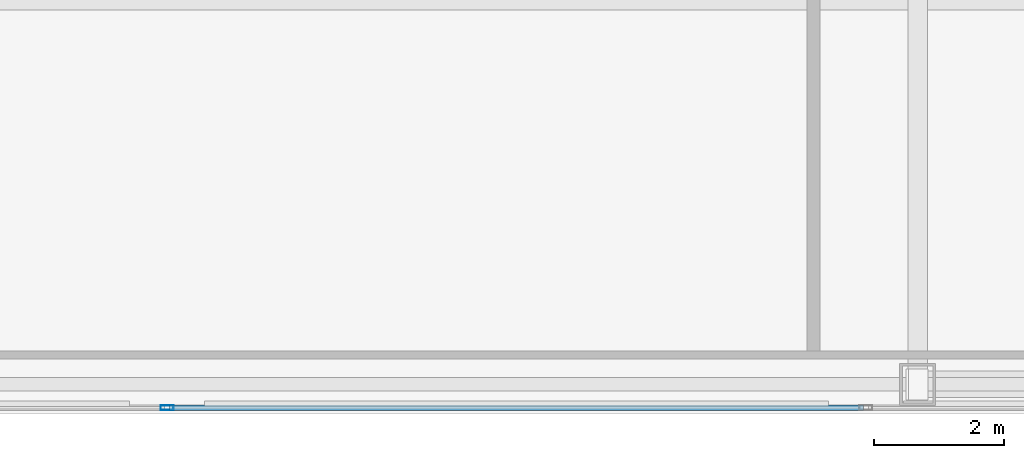
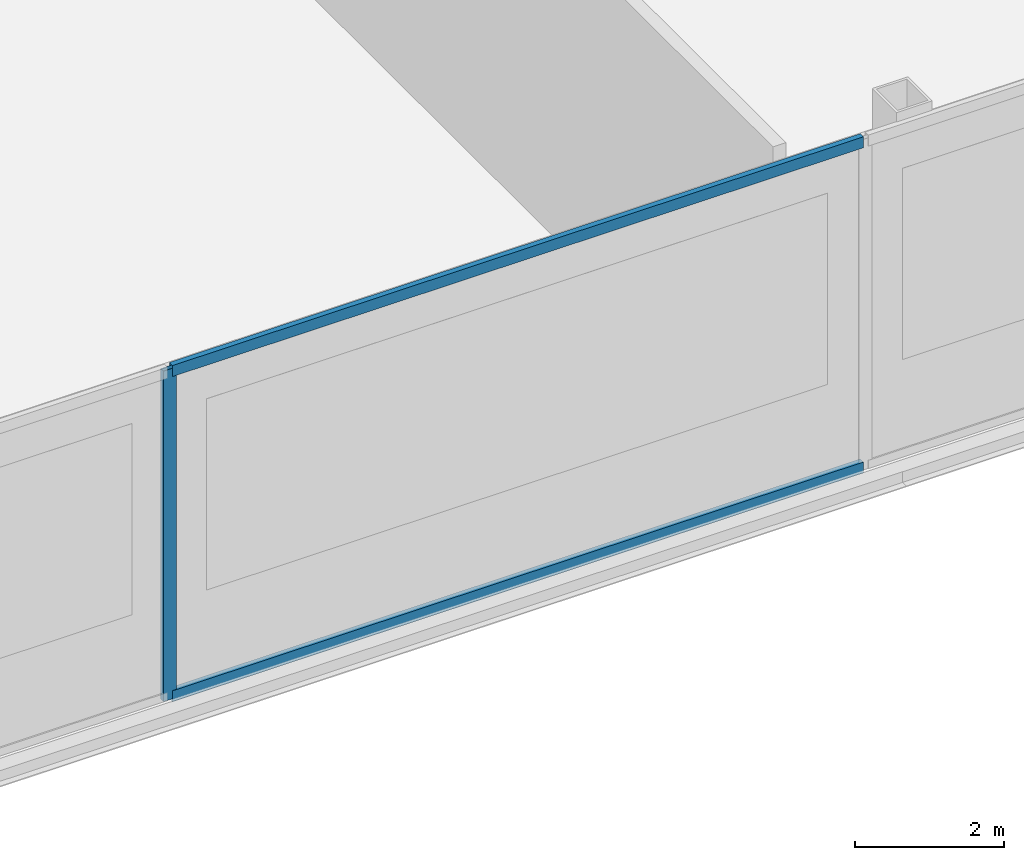
# One storey, part 6 of 22: 3 members, 1 element without a shape of its own.
"""IFC4 building model written with IfcOpenShell, lengths in metres."""

from ifc_helpers import new_model, si_unit, direction, frame, origin, origin_2d, place, context, subcontext, project, spatial, hollow_rectangle, extrude, material, material_profile, profile_set, type_object, element, aggregate, save


model = new_model("IFC4")

# Units and contexts
model_context = context("Model", 3, precision=1e-05, world=origin(), true_north=direction((0.0, 1.0)))
body_context = subcontext(model_context, "Body", "Model", "MODEL_VIEW")
ifc_project = project(units=[si_unit("LENGTHUNIT", "METRE"), si_unit("AREAUNIT", "SQUARE_METRE"), si_unit("VOLUMEUNIT", "CUBIC_METRE"), si_unit("PLANEANGLEUNIT", "RADIAN"), si_unit("MASSUNIT", "GRAM", prefix="KILO")], contexts=[model_context])

# Site, building, storey
site_placement = place(None, origin())
site = spatial("IfcSite", under=ifc_project, at=site_placement, CompositionType="ELEMENT")
building_placement = place(site_placement, origin())
building = spatial("IfcBuilding", under=site, at=building_placement, Name="Khoronbel Lancet Exchange", CompositionType="ELEMENT")
storey_placement = place(building_placement, frame((0.0, 0.0, 367.39990234375)))
storey = spatial("IfcBuildingStorey", under=building, at=storey_placement, Name="L94", CompositionType="ELEMENT", Elevation=367.39990234375)

# Curtain wall, members
ifc_material_1 = material(Name="Low-E Solar Control Insulating Glass", Category="glass")
curtain_wall_type = type_object("IfcCurtainWallType", Name="CW-6", PredefinedType="NOTDEFINED", material=ifc_material_1)
curtain_wall_placement = place(storey_placement, origin())
curtain_wall = element("IfcCurtainWall", 1, at=curtain_wall_placement, inside=storey, type_object=curtain_wall_type, Name="Unitised curtain wall CW-L94-E12", PredefinedType="NOTDEFINED")
ifc_material_2 = material(Name="Bronze-Anodised Aluminium 6063-T6", Category="aluminium")
ifc_material_profile_1 = material_profile(ifc_material_2, hollow_rectangle(XDim=0.074951171875, YDim=0.199951171875, WallThickness=0.0048828125, at=origin_2d()), Name="ALU MULLION 75x200")
ifc_profile_set_1 = profile_set([ifc_material_profile_1], Name="Bronze-Anodised Aluminium 6063-T6")
member_type_1 = type_object("IfcMemberType", Name="MEM-CWM2", PredefinedType="MULLION", material=ifc_profile_set_1)
member_1_placement = place(storey_placement, frame((36.449951171875, 9.7900390625, 0.0), z_axis=(0.0, 0.0, 1.0), x_axis=(0.0, -1.0, 0.0)))
member_1 = element("IfcMember", 2, at=member_1_placement, type_object=member_type_1, Name="CW6 mullion 3", PredefinedType="MULLION", context=body_context, shape_type="SweptSolid", body=[
    extrude(hollow_rectangle(XDim=0.074951171875, YDim=0.199951171875, WallThickness=0.0048828125, at=origin_2d()), origin(), (0.0, 0.0, 1.0), 5.400146484375),
])
ifc_material_profile_2 = material_profile(ifc_material_2, hollow_rectangle(XDim=0.0849609375, YDim=0.179931640625, WallThickness=0.0048828125, at=origin_2d()), Name="ALU TRANSOM 85x180")
ifc_profile_set_2 = profile_set([ifc_material_profile_2], Name="Bronze-Anodised Aluminium 6063-T6")
member_type_2 = type_object("IfcMemberType", Name="MEM-CWT1", PredefinedType="USERDEFINED", material=ifc_profile_set_2)
member_2_placement = place(storey_placement, frame((47.16748046875, 9.7900390625, 0.04248046875), z_axis=(-1.0, 0.0, 0.0), x_axis=(0.0, -1.0, 0.0)))
member_2 = element("IfcMember", 3, at=member_2_placement, type_object=member_type_2, Name="CW6 transom 2.1", ObjectType="TRANSOM", PredefinedType="USERDEFINED", context=body_context, shape_type="SweptSolid", body=[
    extrude(hollow_rectangle(XDim=0.0849609375, YDim=0.179931640625, WallThickness=0.0048828125, at=origin_2d()), origin(), (0.0, 0.0, 1.0), 10.679931640625),
])
member_3_placement = place(storey_placement, frame((47.16748046875, 9.7900390625, 5.357666015625), z_axis=(-1.0, 0.0, 0.0), x_axis=(0.0, -1.0, 0.0)))
member_3 = element("IfcMember", 4, at=member_3_placement, type_object=member_type_2, Name="CW6 transom 2.2", ObjectType="TRANSOM", PredefinedType="USERDEFINED", context=body_context, shape_type="SweptSolid", body=[
    extrude(hollow_rectangle(XDim=0.0849609375, YDim=0.179931640625, WallThickness=0.0048828125, at=origin_2d()), origin(), (0.0, 0.0, 1.0), 10.679931640625),
])
aggregate(curtain_wall, [member_1, member_2, member_3])

save(model, "model.ifc")
